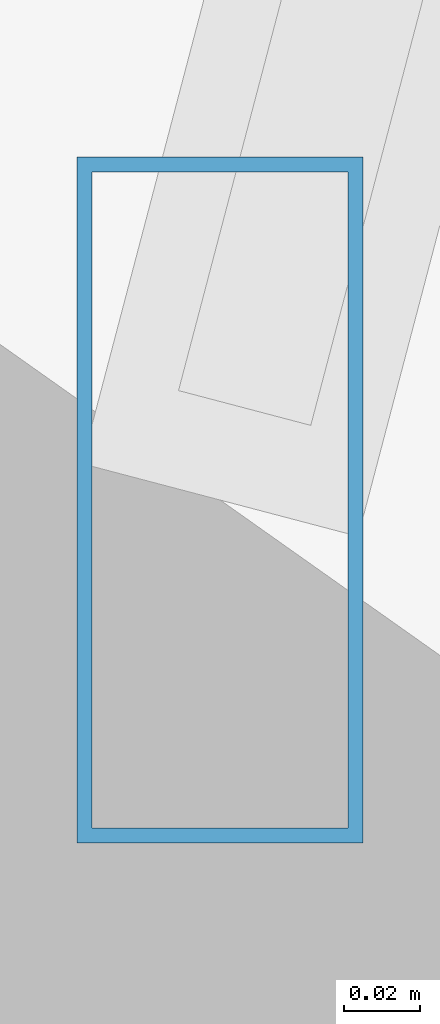
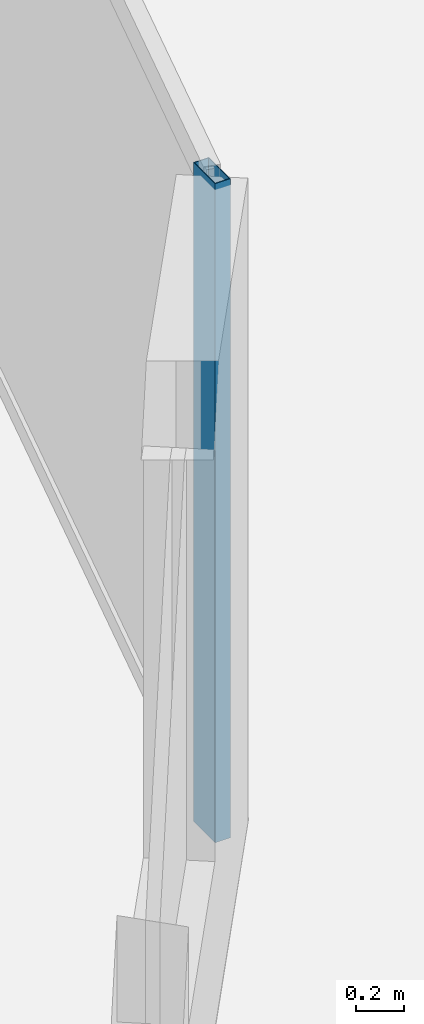
# One storey, part 13 of 29: 1 member, 1 element without a shape of its own.
"""IFC4 building model written with IfcOpenShell, lengths in metres."""

from ifc_helpers import new_model, si_unit, direction, frame, origin, origin_2d, place, context, subcontext, project, spatial, hollow_rectangle, extrude, material, material_profile, profile_set, type_object, element, aggregate, save


model = new_model("IFC4")

# Units and contexts
model_context = context("Model", 3, precision=1e-05, world=origin(), true_north=direction((0.0, 1.0)))
body_context = subcontext(model_context, "Body", "Model", "MODEL_VIEW")
ifc_project = project(units=[si_unit("LENGTHUNIT", "METRE"), si_unit("AREAUNIT", "SQUARE_METRE"), si_unit("VOLUMEUNIT", "CUBIC_METRE"), si_unit("PLANEANGLEUNIT", "RADIAN"), si_unit("MASSUNIT", "GRAM", prefix="KILO")], contexts=[model_context])

# Site, building, storey
site_placement = place(None, origin())
site = spatial("IfcSite", under=ifc_project, at=site_placement, CompositionType="ELEMENT")
building_placement = place(site_placement, origin())
building = spatial("IfcBuilding", under=site, at=building_placement, Name="Vorneva Point Tower", CompositionType="ELEMENT")
storey_placement = place(building_placement, frame((0.0, 0.0, 273.300048828125)))
storey = spatial("IfcBuildingStorey", under=building, at=storey_placement, Name="L74", CompositionType="ELEMENT", Elevation=273.300048828125)

# Curtain wall, member
ifc_material = material(Name="Pale anodised aluminium", Category="aluminium")
curtain_wall_type = type_object("IfcCurtainWallType", Name="CW-RES-SYS", PredefinedType="NOTDEFINED", material=ifc_material)
curtain_wall_placement = place(storey_placement, origin())
curtain_wall = element("IfcCurtainWall", 1, at=curtain_wall_placement, inside=storey, type_object=curtain_wall_type, Name="L74 Unitised Curtain Wall CW-L74-R01", PredefinedType="NOTDEFINED")
ifc_material_profile = material_profile(ifc_material, hollow_rectangle(XDim=0.074951171875, YDim=0.179931640625, WallThickness=0.00390625, at=origin_2d()), Name="AL-MUL 180x75x4")
ifc_profile_set = profile_set([ifc_material_profile], Name="Pale anodised aluminium")
member_type = type_object("IfcMemberType", Name="CW-MUL-180", PredefinedType="MULLION", material=ifc_profile_set)
member_placement = place(storey_placement, frame((62.20556640625, 18.4189453125, -0.0400390625), z_axis=(0.0, 0.0, 1.0), x_axis=(1.0, 0.0, 0.0)))
member = element("IfcMember", 2, at=member_placement, type_object=member_type, Name="CW-L74-R01 Mullion 01", PredefinedType="MULLION", context=body_context, shape_type="SweptSolid", body=[
    extrude(hollow_rectangle(XDim=0.074951171875, YDim=0.179931640625, WallThickness=0.00390625, at=origin_2d()), origin(), (0.0, 0.0, 1.0), 3.360107421875),
])
aggregate(curtain_wall, [member])

save(model, "model.ifc")
